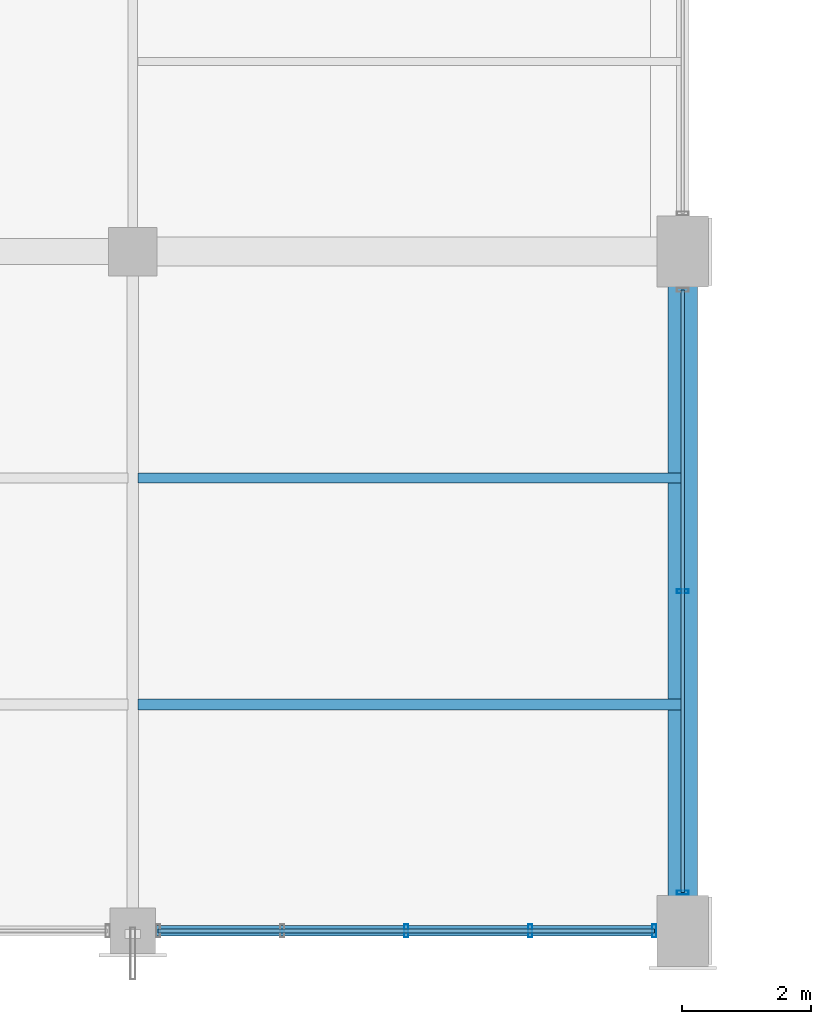
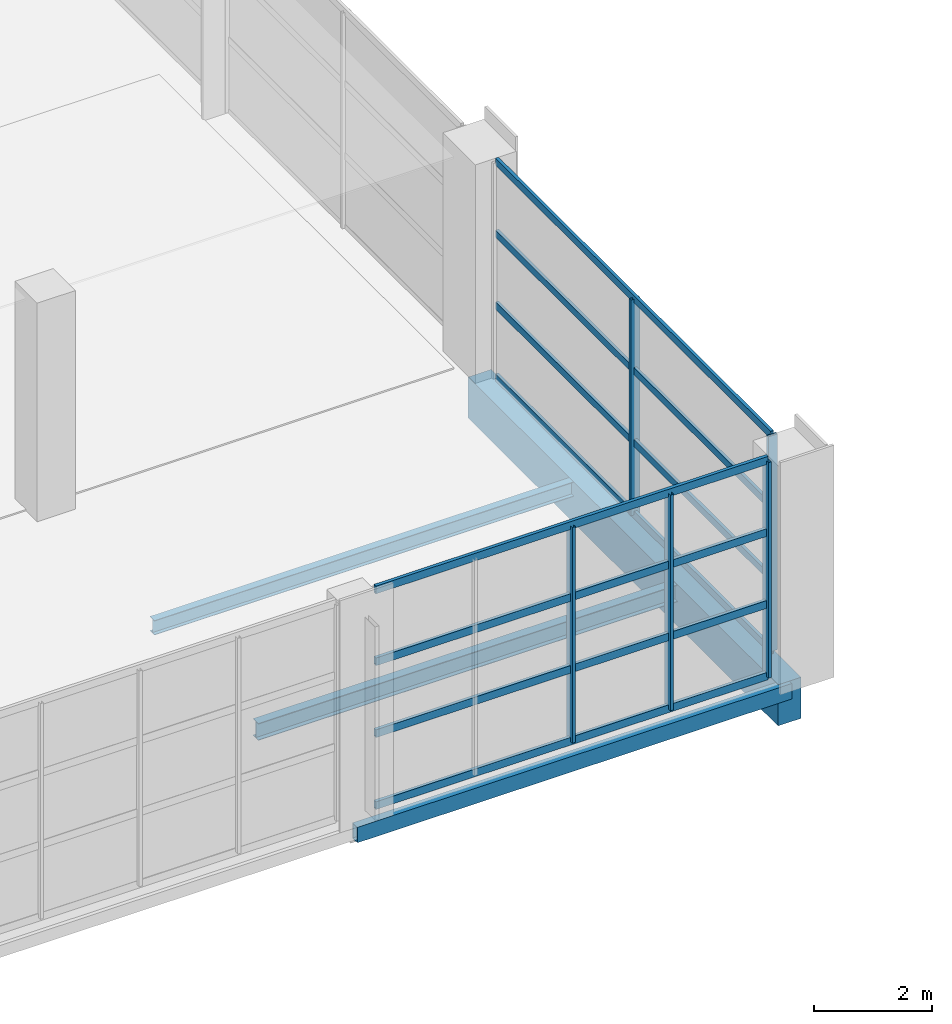
# One storey, part 25 of 112: 13 members, 4 beams, 2 elements without a shape of their own.
"""IFC4 building model written with IfcOpenShell, lengths in metres."""

from ifc_helpers import new_model, si_unit, direction, frame, origin, origin_2d, place, context, subcontext, project, spatial, rectangle, hollow_rectangle, i_section, extrude, material, material_profile, profile_set, type_object, element, aggregate, save


model = new_model("IFC4")

# Units and contexts
model_context = context("Model", 3, precision=1e-05, world=origin(), true_north=direction((0.0, 1.0)))
body_context = subcontext(model_context, "Body", "Model", "MODEL_VIEW")
ifc_project = project(units=[si_unit("LENGTHUNIT", "METRE"), si_unit("AREAUNIT", "SQUARE_METRE"), si_unit("VOLUMEUNIT", "CUBIC_METRE"), si_unit("PLANEANGLEUNIT", "RADIAN"), si_unit("MASSUNIT", "GRAM", prefix="KILO")], contexts=[model_context])

# Site, building, storey
site_placement = place(None, origin())
site = spatial("IfcSite", under=ifc_project, at=site_placement, CompositionType="ELEMENT")
building_placement = place(site_placement, origin())
building = spatial("IfcBuilding", under=site, at=building_placement, Name="Solvikara Media Centre", CompositionType="ELEMENT")
storey_placement = place(building_placement, frame((0.0, 0.0, 5.39990234375)))
storey = spatial("IfcBuildingStorey", under=building, at=storey_placement, Name="L01", CompositionType="ELEMENT", Elevation=5.39990234375)

# Beams
ifc_material_1 = material(Name="Concrete fc' 35 MPa (C35/45)", Category="concrete")
ifc_material_profile_1 = material_profile(ifc_material_1, rectangle(XDim=0.449951171875, YDim=0.85009765625, at=origin_2d()), Name="RC 450x850")
ifc_profile_set_1 = profile_set([ifc_material_profile_1], Name="Concrete fc' 35 MPa (C35/45)")
beam_type_1 = type_object("IfcBeamType", Name="BM-14", PredefinedType="SPANDREL", material=ifc_profile_set_1)
beam_1_placement = place(storey_placement, frame((76.5, 0.0, -0.684814453125), z_axis=(0.0, 1.0, 0.0), x_axis=(-1.0, 0.0, 0.0)))
element("IfcBeam", 1, at=beam_1_placement, inside=storey, type_object=beam_type_1, Name="B-L01-Y0596", PredefinedType="SPANDREL", context=body_context, shape_type="SweptSolid", body=[
    extrude(rectangle(XDim=0.449951171875, YDim=0.85009765625, at=origin_2d()), origin(), (0.0, 0.0, 1.0), 10.5),
])
ifc_material_2 = material(Name="Steel S355JR", Category="steel")
ifc_material_profile_2 = material_profile(ifc_material_2, i_section(OverallWidth=0.175048828125, OverallDepth=0.35009765625, WebThickness=0.007080078125, FlangeThickness=0.010986328125, at=origin_2d()), Name="WF 350x175x7x11")
ifc_profile_set_2 = profile_set([ifc_material_profile_2], Name="Steel S355JR")
beam_type_2 = type_object("IfcBeamType", Name="BM-22", PredefinedType="JOIST", material=ifc_profile_set_2)
beam_2_placement = place(storey_placement, frame((68.077880859375, 3.5, -0.43701171875), z_axis=(1.0, 0.0, 0.0), x_axis=(0.0, 1.0, 0.0)))
element("IfcBeam", 2, at=beam_2_placement, inside=storey, type_object=beam_type_2, Name="J-L01-0754", PredefinedType="JOIST", context=body_context, shape_type="SweptSolid", body=[
    extrude(i_section(OverallWidth=0.175048828125, OverallDepth=0.35009765625, WebThickness=0.007080078125, FlangeThickness=0.010986328125, at=origin_2d()), origin(), (0.0, 0.0, 1.0), 8.422119140625),
])
ifc_material_profile_3 = material_profile(ifc_material_2, i_section(OverallWidth=0.14990234375, OverallDepth=0.300048828125, WebThickness=0.006591796875, FlangeThickness=0.009033203125, at=origin_2d()), Name="WF 300x150x6.5x9")
ifc_profile_set_3 = profile_set([ifc_material_profile_3], Name="Steel S355JR")
beam_type_3 = type_object("IfcBeamType", Name="BM-23", PredefinedType="JOIST", material=ifc_profile_set_3)
beam_3_placement = place(storey_placement, frame((68.077880859375, 7.0, -0.411865234375), z_axis=(1.0, 0.0, 0.0), x_axis=(0.0, 1.0, 0.0)))
element("IfcBeam", 3, at=beam_3_placement, inside=storey, type_object=beam_type_3, Name="J-L01-0755", PredefinedType="JOIST", context=body_context, shape_type="SweptSolid", body=[
    extrude(i_section(OverallWidth=0.14990234375, OverallDepth=0.300048828125, WebThickness=0.006591796875, FlangeThickness=0.009033203125, at=origin_2d()), origin(), (0.0, 0.0, 1.0), 8.422119140625),
])
ifc_material_profile_4 = material_profile(ifc_material_2, hollow_rectangle(XDim=0.159912109375, YDim=0.320068359375, WallThickness=0.010009765625, at=origin_2d()), Name="RHS 320x160x10")
ifc_profile_set_4 = profile_set([ifc_material_profile_4], Name="Steel S355JR")
beam_type_4 = type_object("IfcBeamType", Name="BM-45", PredefinedType="SPANDREL", material=ifc_profile_set_4)
beam_4_placement = place(storey_placement, frame((68.0, 0.0, -0.421875), z_axis=(1.0, 0.0, 0.0), x_axis=(0.0, 1.0, 0.0)))
element("IfcBeam", 4, at=beam_4_placement, inside=storey, type_object=beam_type_4, Name="B-L01-X0447", PredefinedType="SPANDREL", context=body_context, shape_type="SweptSolid", body=[
    extrude(hollow_rectangle(XDim=0.159912109375, YDim=0.320068359375, WallThickness=0.010009765625, at=origin_2d()), origin(), (0.0, 0.0, 1.0), 8.5),
])

# Curtain wall, members
ifc_material_3 = material(Name="Anodised aluminium EN AW-6063", Category="aluminium")
curtain_wall_type_1 = type_object("IfcCurtainWallType", Name="CW-04", PredefinedType="NOTDEFINED", material=ifc_material_3)
curtain_wall_1_placement = place(storey_placement, origin())
curtain_wall_1 = element("IfcCurtainWall", 5, at=curtain_wall_1_placement, inside=storey, type_object=curtain_wall_type_1, Name="CW-L01-V6S-5", PredefinedType="NOTDEFINED")
ifc_material_profile_5 = material_profile(ifc_material_3, hollow_rectangle(XDim=0.06494140625, YDim=0.199951171875, WallThickness=0.00390625, at=origin_2d()), Name="ALU-M 65x200x4")
ifc_profile_set_5 = profile_set([ifc_material_profile_5], Name="Anodised aluminium EN AW-6063")
member_type_1 = type_object("IfcMemberType", Name="MF-02", PredefinedType="MULLION", material=ifc_profile_set_5)
member_1_placement = place(storey_placement, frame((72.22509765625, 0.0, 0.02001953125), z_axis=(0.0, 0.0, 1.0), x_axis=(1.0, 0.0, 0.0)))
member_1 = element("IfcMember", 6, at=member_1_placement, type_object=member_type_1, Name="CW-L01-V6S-5-M02", PredefinedType="MULLION", context=body_context, shape_type="SweptSolid", body=[
    extrude(hollow_rectangle(XDim=0.06494140625, YDim=0.199951171875, WallThickness=0.00390625, at=origin_2d()), origin(), (0.0, 0.0, 1.0), 4.4599609375),
])
member_2_placement = place(storey_placement, frame((74.14306640625, 0.0, 0.02001953125), z_axis=(0.0, 0.0, 1.0), x_axis=(1.0, 0.0, 0.0)))
member_2 = element("IfcMember", 7, at=member_2_placement, type_object=member_type_1, Name="CW-L01-V6S-5-M03", PredefinedType="MULLION", context=body_context, shape_type="SweptSolid", body=[
    extrude(hollow_rectangle(XDim=0.06494140625, YDim=0.199951171875, WallThickness=0.00390625, at=origin_2d()), origin(), (0.0, 0.0, 1.0), 4.4599609375),
])
member_3_placement = place(storey_placement, frame((76.06005859375, 0.0, 0.02001953125), z_axis=(0.0, 0.0, 1.0), x_axis=(1.0, 0.0, 0.0)))
member_3 = element("IfcMember", 8, at=member_3_placement, type_object=member_type_1, Name="CW-L01-V6S-5-M04", PredefinedType="MULLION", context=body_context, shape_type="SweptSolid", body=[
    extrude(hollow_rectangle(XDim=0.06494140625, YDim=0.199951171875, WallThickness=0.00390625, at=origin_2d()), origin(), (0.0, 0.0, 1.0), 4.4599609375),
])

curtain_wall_type_2 = type_object("IfcCurtainWallType", Name="CW-16", PredefinedType="NOTDEFINED", material=ifc_material_3)
curtain_wall_2_placement = place(storey_placement, origin())
curtain_wall_2 = element("IfcCurtainWall", 9, at=curtain_wall_2_placement, inside=storey, type_object=curtain_wall_type_2, Name="CW-L01-V6E-S1", PredefinedType="NOTDEFINED")
ifc_material_profile_6 = material_profile(ifc_material_3, hollow_rectangle(XDim=0.06005859375, YDim=0.179931640625, WallThickness=0.00341796875, at=origin_2d()), Name="ALU-M 60x180x3.5")
ifc_profile_set_6 = profile_set([ifc_material_profile_6], Name="Anodised aluminium EN AW-6063")
member_type_2 = type_object("IfcMemberType", Name="MF-03", PredefinedType="MULLION", material=ifc_profile_set_6)
member_4_placement = place(storey_placement, frame((76.5, 0.590087890625, 0.02001953125), z_axis=(0.0, 0.0, 1.0), x_axis=(0.0, 1.0, 0.0)))
member_4 = element("IfcMember", 10, at=member_4_placement, type_object=member_type_2, Name="CW-L01-V6E-S1-M00", PredefinedType="MULLION", context=body_context, shape_type="SweptSolid", body=[
    extrude(hollow_rectangle(XDim=0.06005859375, YDim=0.179931640625, WallThickness=0.00341796875, at=origin_2d()), origin(), (0.0, 0.0, 1.0), 4.4599609375),
])
member_5_placement = place(storey_placement, frame((76.5, 5.25, 0.02001953125), z_axis=(0.0, 0.0, 1.0), x_axis=(0.0, 1.0, 0.0)))
member_5 = element("IfcMember", 11, at=member_5_placement, type_object=member_type_2, Name="CW-L01-V6E-S1-M01", PredefinedType="MULLION", context=body_context, shape_type="SweptSolid", body=[
    extrude(hollow_rectangle(XDim=0.06005859375, YDim=0.179931640625, WallThickness=0.00341796875, at=origin_2d()), origin(), (0.0, 0.0, 1.0), 4.4599609375),
])

# Member
ifc_material_profile_7 = material_profile(ifc_material_3, hollow_rectangle(XDim=0.06494140625, YDim=0.159912109375, WallThickness=0.00341796875, at=origin_2d()), Name="ALU-T 65x160x3.5")
ifc_profile_set_7 = profile_set([ifc_material_profile_7], Name="Anodised aluminium EN AW-6063")
member_type_3 = type_object("IfcMemberType", Name="MF-08", PredefinedType="USERDEFINED", material=ifc_profile_set_7)
member_6_placement = place(storey_placement, frame((68.389892578125, 0.0, 0.02001953125), z_axis=(1.0, 0.0, 0.0), x_axis=(0.0, 1.0, 0.0)))
member_6 = element("IfcMember", 12, at=member_6_placement, type_object=member_type_3, Name="CW-L01-V6S-5-T00", ObjectType="TRANSOM", PredefinedType="USERDEFINED", context=body_context, shape_type="SweptSolid", body=[
    extrude(hollow_rectangle(XDim=0.06494140625, YDim=0.159912109375, WallThickness=0.00341796875, at=origin_2d()), origin(), (0.0, 0.0, 1.0), 7.670166015625),
])

member_7_placement = place(storey_placement, frame((68.389892578125, 0.0, 1.507080078125), z_axis=(1.0, 0.0, 0.0), x_axis=(0.0, 1.0, 0.0)))
member_7 = element("IfcMember", 13, at=member_7_placement, type_object=member_type_3, Name="CW-L01-V6S-5-T01", ObjectType="TRANSOM", PredefinedType="USERDEFINED", context=body_context, shape_type="SweptSolid", body=[
    extrude(hollow_rectangle(XDim=0.06494140625, YDim=0.159912109375, WallThickness=0.00341796875, at=origin_2d()), origin(), (0.0, 0.0, 1.0), 7.670166015625),
])

member_8_placement = place(storey_placement, frame((68.389892578125, 0.0, 2.9931640625), z_axis=(1.0, 0.0, 0.0), x_axis=(0.0, 1.0, 0.0)))
member_8 = element("IfcMember", 14, at=member_8_placement, type_object=member_type_3, Name="CW-L01-V6S-5-T02", ObjectType="TRANSOM", PredefinedType="USERDEFINED", context=body_context, shape_type="SweptSolid", body=[
    extrude(hollow_rectangle(XDim=0.06494140625, YDim=0.159912109375, WallThickness=0.00341796875, at=origin_2d()), origin(), (0.0, 0.0, 1.0), 7.670166015625),
])

member_9_placement = place(storey_placement, frame((68.389892578125, 0.0, 4.47998046875), z_axis=(1.0, 0.0, 0.0), x_axis=(0.0, 1.0, 0.0)))
member_9 = element("IfcMember", 15, at=member_9_placement, type_object=member_type_3, Name="CW-L01-V6S-5-T03", ObjectType="TRANSOM", PredefinedType="USERDEFINED", context=body_context, shape_type="SweptSolid", body=[
    extrude(hollow_rectangle(XDim=0.06494140625, YDim=0.159912109375, WallThickness=0.00341796875, at=origin_2d()), origin(), (0.0, 0.0, 1.0), 7.670166015625),
])

aggregate(curtain_wall_1, [member_1, member_2, member_3, member_6, member_7, member_8, member_9])

ifc_material_profile_8 = material_profile(ifc_material_3, hollow_rectangle(XDim=0.06005859375, YDim=0.14990234375, WallThickness=0.0029296875, at=origin_2d()), Name="ALU-T 60x150x3")
ifc_profile_set_8 = profile_set([ifc_material_profile_8], Name="Anodised aluminium EN AW-6063")
member_type_4 = type_object("IfcMemberType", Name="MF-09", PredefinedType="USERDEFINED", material=ifc_profile_set_8)
member_10_placement = place(storey_placement, frame((76.5, 0.590087890625, 0.02001953125), z_axis=(0.0, 1.0, 0.0), x_axis=(-1.0, 0.0, 0.0)))
member_10 = element("IfcMember", 16, at=member_10_placement, type_object=member_type_4, Name="CW-L01-V6E-S1-T00", ObjectType="TRANSOM", PredefinedType="USERDEFINED", context=body_context, shape_type="SweptSolid", body=[
    extrude(hollow_rectangle(XDim=0.06005859375, YDim=0.14990234375, WallThickness=0.0029296875, at=origin_2d()), origin(), (0.0, 0.0, 1.0), 9.31982421875),
])

member_11_placement = place(storey_placement, frame((76.5, 0.590087890625, 1.507080078125), z_axis=(0.0, 1.0, 0.0), x_axis=(-1.0, 0.0, 0.0)))
member_11 = element("IfcMember", 17, at=member_11_placement, type_object=member_type_4, Name="CW-L01-V6E-S1-T01", ObjectType="TRANSOM", PredefinedType="USERDEFINED", context=body_context, shape_type="SweptSolid", body=[
    extrude(hollow_rectangle(XDim=0.06005859375, YDim=0.14990234375, WallThickness=0.0029296875, at=origin_2d()), origin(), (0.0, 0.0, 1.0), 9.31982421875),
])

member_12_placement = place(storey_placement, frame((76.5, 0.590087890625, 2.9931640625), z_axis=(0.0, 1.0, 0.0), x_axis=(-1.0, 0.0, 0.0)))
member_12 = element("IfcMember", 18, at=member_12_placement, type_object=member_type_4, Name="CW-L01-V6E-S1-T02", ObjectType="TRANSOM", PredefinedType="USERDEFINED", context=body_context, shape_type="SweptSolid", body=[
    extrude(hollow_rectangle(XDim=0.06005859375, YDim=0.14990234375, WallThickness=0.0029296875, at=origin_2d()), origin(), (0.0, 0.0, 1.0), 9.31982421875),
])

member_13_placement = place(storey_placement, frame((76.5, 0.590087890625, 4.47998046875), z_axis=(0.0, 1.0, 0.0), x_axis=(-1.0, 0.0, 0.0)))
member_13 = element("IfcMember", 19, at=member_13_placement, type_object=member_type_4, Name="CW-L01-V6E-S1-T03", ObjectType="TRANSOM", PredefinedType="USERDEFINED", context=body_context, shape_type="SweptSolid", body=[
    extrude(hollow_rectangle(XDim=0.06005859375, YDim=0.14990234375, WallThickness=0.0029296875, at=origin_2d()), origin(), (0.0, 0.0, 1.0), 9.31982421875),
])

aggregate(curtain_wall_2, [member_4, member_5, member_10, member_11, member_12, member_13])

save(model, "model.ifc")
